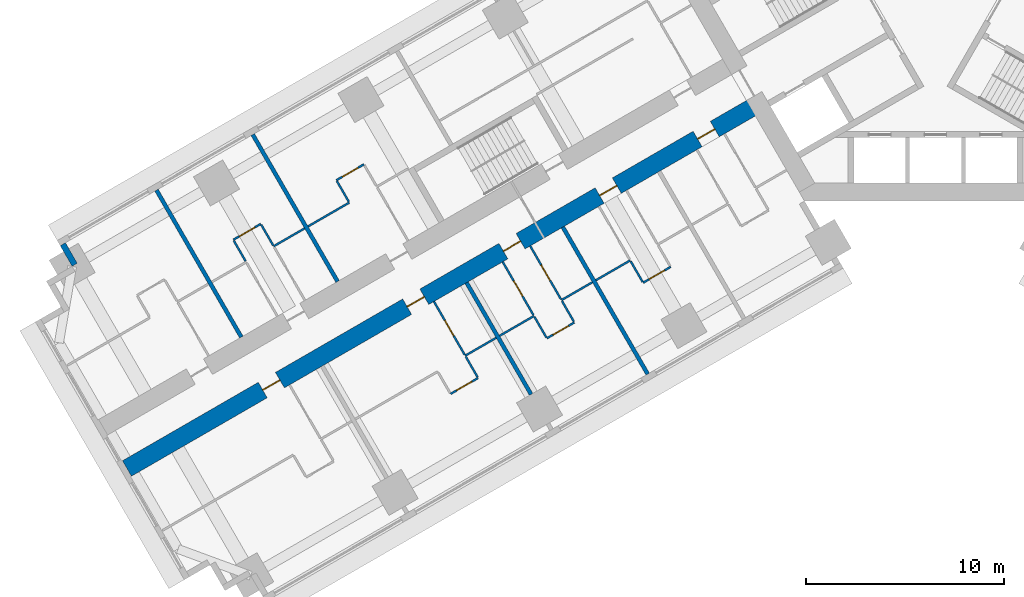
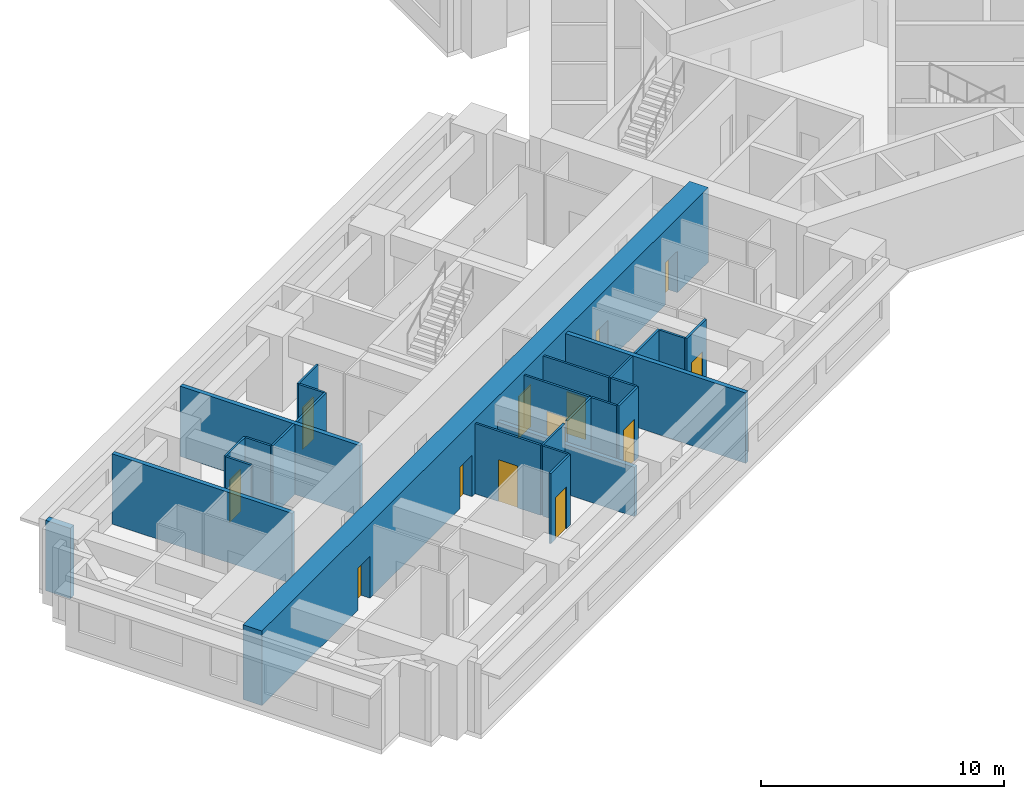
# One storey, part 4 of 17: 27 walls, 13 doors, 13 openings.
"""IFC4 building model written with IfcOpenShell, lengths in metres."""

from ifc_helpers import new_model, si_unit, direction, frame, frame_2d, origin, place, context, subcontext, project, spatial, rectangle, extrude, material, layer, layer_set, type_object, element, fill, save


model = new_model("IFC4")

# Units and contexts
model_context = context("Model", 3, precision=1e-05, world=origin(), true_north=direction((0.0, 1.0)))
body_context = subcontext(model_context, "Body", "Model", "MODEL_VIEW")
ifc_project = project(units=[si_unit("LENGTHUNIT", "METRE"), si_unit("AREAUNIT", "SQUARE_METRE"), si_unit("VOLUMEUNIT", "CUBIC_METRE"), si_unit("PLANEANGLEUNIT", "RADIAN"), si_unit("MASSUNIT", "GRAM", prefix="KILO")], contexts=[model_context])

# Site, building, storey
site_placement = place(None, origin())
site = spatial("IfcSite", under=ifc_project, at=site_placement, CompositionType="ELEMENT")
building_placement = place(site_placement, origin())
building = spatial("IfcBuilding", under=site, at=building_placement, Name="Impinga Residences", CompositionType="ELEMENT")
storey_placement = place(building_placement, frame((0.0, 0.0, 29.75)))
storey = spatial("IfcBuildingStorey", under=building, at=storey_placement, Name="L06", CompositionType="ELEMENT", Elevation=29.75)

# Wall, openings, doors
ifc_material_1 = material(Name="Concrete C70/85", Category="concrete")
ifc_layer_1 = layer(ifc_material_1, 0.89990234375)
ifc_layer_set_1 = layer_set([ifc_layer_1], Name="Concrete C70/85")
wall_type_1 = type_object("IfcWallType", Name="BW1 corridor buttress wall, L05 to L22 900", PredefinedType="SHEAR", material=ifc_layer_set_1)
wall_1_placement = place(storey_placement, frame((-8.910400390625, -6.530029296875, 0.0), z_axis=(0.0, 0.0, 1.0), x_axis=(-0.866025284237, -0.500000207062, 0.0)))
wall_1 = element("IfcWall", 1, at=wall_1_placement, inside=storey, type_object=wall_type_1, Name="Corridor wall BW1 WC L06", PredefinedType="SHEAR", context=body_context, shape_type="SweptSolid", body=[
    extrude(rectangle(XDim=36.75, YDim=0.89990234375, at=frame_2d((18.375, 0.0))), origin(), (0.0, 0.0, 1.0), 3.75),
])
opening_1_placement = place(wall_1_placement, frame((2.550048828125, 0.0, 0.0)))
opening_1 = element("IfcOpeningElement", 2, at=opening_1_placement, cuts=wall_1, Name="Opening D1", PredefinedType="OPENING", context=body_context, shape_type="SweptSolid", body=[
    extrude(rectangle(XDim=1.0, YDim=2.10009765625, at=frame_2d((0.5, 1.050048828125))), frame((0.0, 0.4599609375, 0.0), z_axis=(0.0, -1.0, 0.0), x_axis=(1.0, 0.0, 0.0)), (0.0, 0.0, 1.0), 0.919921875),
])
opening_2_placement = place(wall_1_placement, frame((8.25, 0.0, 0.0)))
opening_2 = element("IfcOpeningElement", 3, at=opening_2_placement, cuts=wall_1, Name="Opening D1", PredefinedType="OPENING", context=body_context, shape_type="SweptSolid", body=[
    extrude(rectangle(XDim=1.0, YDim=2.10009765625, at=frame_2d((0.5, 1.050048828125))), frame((0.0, 0.4599609375, 0.0), z_axis=(0.0, -1.0, 0.0), x_axis=(1.0, 0.0, 0.0)), (0.0, 0.0, 1.0), 0.919921875),
])
opening_3_placement = place(wall_1_placement, frame((13.85009765625, 0.0, 0.0)))
opening_3 = element("IfcOpeningElement", 4, at=opening_3_placement, cuts=wall_1, Name="Opening D1", PredefinedType="OPENING", context=body_context, shape_type="SweptSolid", body=[
    extrude(rectangle(XDim=1.0, YDim=2.10009765625, at=frame_2d((0.5, 1.050048828125))), frame((0.0, 0.4599609375, 0.0), z_axis=(0.0, -1.0, 0.0), x_axis=(1.0, 0.0, 0.0)), (0.0, 0.0, 1.0), 0.919921875),
])
opening_4_placement = place(wall_1_placement, frame((19.449951171875, 0.0, 0.0)))
opening_4 = element("IfcOpeningElement", 5, at=opening_4_placement, cuts=wall_1, Name="Opening D1", PredefinedType="OPENING", context=body_context, shape_type="SweptSolid", body=[
    extrude(rectangle(XDim=1.0, YDim=2.10009765625, at=frame_2d((0.5, 1.050048828125))), frame((0.0, 0.4599609375, 0.0), z_axis=(0.0, -1.0, 0.0), x_axis=(1.0, 0.0, 0.0)), (0.0, 0.0, 1.0), 0.919921875),
])
opening_5_placement = place(wall_1_placement, frame((27.85009765625, 0.0, 0.0)))
opening_5 = element("IfcOpeningElement", 6, at=opening_5_placement, cuts=wall_1, Name="Opening D1", PredefinedType="OPENING", context=body_context, shape_type="SweptSolid", body=[
    extrude(rectangle(XDim=1.0, YDim=2.10009765625, at=frame_2d((0.5, 1.050048828125))), frame((0.0, 0.4599609375, 0.0), z_axis=(0.0, -1.0, 0.0), x_axis=(1.0, 0.0, 0.0)), (0.0, 0.0, 1.0), 0.919921875),
])
ifc_material_2 = material(Name="Timber door set", Category="wood")
door_type_1 = type_object("IfcDoorType", Name="D1 apartment entrance door 1000x2100", OperationType="SINGLE_SWING_LEFT", PredefinedType="DOOR", material=ifc_material_2)
door_1_placement = place(opening_1_placement, origin())
door_1 = element("IfcDoor", 7, at=door_1_placement, inside=storey, type_object=door_type_1, Name="Apartment L06-WA1 entrance", OperationType="SINGLE_SWING_LEFT", OverallHeight=2.10009765625, OverallWidth=1.0, PredefinedType="DOOR", context=body_context, shape_type="SweptSolid", body=[
    extrude(rectangle(XDim=1.0, YDim=2.10009765625, at=frame_2d((0.5, 1.050048828125))), frame((0.0, 0.02490234375, 0.0), z_axis=(0.0, -1.0, 0.0), x_axis=(1.0, 0.0, 0.0)), (0.0, 0.0, 1.0), 0.050048828125),
])
fill(opening_1, door_1)
door_2_placement = place(opening_2_placement, origin())
door_2 = element("IfcDoor", 8, at=door_2_placement, inside=storey, type_object=door_type_1, Name="Apartment L06-WA2 entrance", OperationType="SINGLE_SWING_LEFT", OverallHeight=2.10009765625, OverallWidth=1.0, PredefinedType="DOOR", context=body_context, shape_type="SweptSolid", body=[
    extrude(rectangle(XDim=1.0, YDim=2.10009765625, at=frame_2d((0.5, 1.050048828125))), frame((0.0, 0.02490234375, 0.0), z_axis=(0.0, -1.0, 0.0), x_axis=(1.0, 0.0, 0.0)), (0.0, 0.0, 1.0), 0.050048828125),
])
fill(opening_2, door_2)
door_3_placement = place(opening_3_placement, origin())
door_3 = element("IfcDoor", 9, at=door_3_placement, inside=storey, type_object=door_type_1, Name="Apartment L06-WA3 entrance", OperationType="SINGLE_SWING_LEFT", OverallHeight=2.10009765625, OverallWidth=1.0, PredefinedType="DOOR", context=body_context, shape_type="SweptSolid", body=[
    extrude(rectangle(XDim=1.0, YDim=2.10009765625, at=frame_2d((0.5, 1.050048828125))), frame((0.0, 0.02490234375, 0.0), z_axis=(0.0, -1.0, 0.0), x_axis=(1.0, 0.0, 0.0)), (0.0, 0.0, 1.0), 0.050048828125),
])
fill(opening_3, door_3)
door_4_placement = place(opening_4_placement, origin())
door_4 = element("IfcDoor", 10, at=door_4_placement, inside=storey, type_object=door_type_1, Name="Apartment L06-WA4 entrance", OperationType="SINGLE_SWING_RIGHT", OverallHeight=2.10009765625, OverallWidth=1.0, PredefinedType="DOOR", context=body_context, shape_type="SweptSolid", body=[
    extrude(rectangle(XDim=1.0, YDim=2.10009765625, at=frame_2d((0.5, 1.050048828125))), frame((0.0, 0.02490234375, 0.0), z_axis=(0.0, -1.0, 0.0), x_axis=(1.0, 0.0, 0.0)), (0.0, 0.0, 1.0), 0.050048828125),
])
fill(opening_4, door_4)
door_5_placement = place(opening_5_placement, origin())
door_5 = element("IfcDoor", 11, at=door_5_placement, inside=storey, type_object=door_type_1, Name="Apartment L06-WA5 entrance", OperationType="SINGLE_SWING_RIGHT", OverallHeight=2.10009765625, OverallWidth=1.0, PredefinedType="DOOR", context=body_context, shape_type="SweptSolid", body=[
    extrude(rectangle(XDim=1.0, YDim=2.10009765625, at=frame_2d((0.5, 1.050048828125))), frame((0.0, 0.02490234375, 0.0), z_axis=(0.0, -1.0, 0.0), x_axis=(1.0, 0.0, 0.0)), (0.0, 0.0, 1.0), 0.050048828125),
])
fill(opening_5, door_5)

# Walls
ifc_material_3 = material(Name="Terracotta rainscreen on blockwork", Category="masonry")
ifc_layer_2 = layer(ifc_material_3, 0.300048828125)
ifc_layer_set_2 = layer_set([ifc_layer_2], Name="EW1 external wall, terracotta rainscreen on blockwork 300")
wall_type_2 = type_object("IfcWallType", Name="EW1 external wall, terracotta rainscreen on blockwork 300", PredefinedType="SOLIDWALL", material=ifc_layer_set_2)
wall_2_placement = place(storey_placement, frame((-43.37109375, -14.64208984375, 0.0), z_axis=(0.0, 0.0, 1.0), x_axis=(-0.500029051137, 0.866008630453, 0.0)))
element("IfcWall", 12, at=wall_2_placement, inside=storey, type_object=wall_type_2, Name="External wall EW1 L06", PredefinedType="SOLIDWALL", context=body_context, shape_type="SweptSolid", body=[
    extrude(rectangle(XDim=1.19482421875, YDim=0.300048828125, at=frame_2d((0.597412109375, 0.0))), origin(), (0.0, 0.0, 1.0), 3.530029296875),
])
ifc_material_4 = material(Name="Gypsum board on steel studs", Category="steel")
ifc_layer_3 = layer(ifc_material_4, 0.10009765625)
ifc_layer_set_3 = layer_set([ifc_layer_3], Name="Gypsum board on steel studs")
wall_type_3 = type_object("IfcWallType", Name="IP1 partition 100", PredefinedType="PARTITIONING", material=ifc_layer_set_3)
wall_3_placement = place(storey_placement, frame((-15.380859375, -14.422607421875, 0.0), z_axis=(0.0, 0.0, 1.0), x_axis=(-0.866010750942, -0.50002537861, 0.0)))
element("IfcWall", 13, at=wall_3_placement, inside=storey, type_object=wall_type_3, Name="Partition L06-WA2:DIV1", PredefinedType="PARTITIONING", context=body_context, shape_type="SweptSolid", body=[
    extrude(rectangle(XDim=2.0, YDim=0.10009765625, at=frame_2d((1.0, 0.0))), origin(), (0.0, 0.0, 1.0), 3.530029296875),
])

# Wall, opening, door
wall_4_placement = place(storey_placement, frame((-13.34521484375, -14.74853515625, 0.0), z_axis=(0.0, 0.0, 1.0), x_axis=(-0.865989903783, -0.500061482766, 0.0)))
wall_4 = element("IfcWall", 14, at=wall_4_placement, inside=storey, type_object=wall_type_3, Name="Partition L06-WA2:STRIP", PredefinedType="PARTITIONING", context=body_context, shape_type="SweptSolid", body=[
    extrude(rectangle(XDim=1.599853515625, YDim=0.10009765625, at=frame_2d((0.7998046875, 0.0))), origin(), (0.0, 0.0, 1.0), 3.530029296875),
])
opening_6_placement = place(wall_4_placement, frame((0.35009765625, 0.0, 0.0)))
opening_6 = element("IfcOpeningElement", 15, at=opening_6_placement, cuts=wall_4, Name="Opening D2", PredefinedType="OPENING", context=body_context, shape_type="SweptSolid", body=[
    extrude(rectangle(XDim=0.89990234375, YDim=2.10009765625, at=frame_2d((0.449951171875, 1.050048828125))), frame((0.0, 0.06005859375, 0.0), z_axis=(0.0, -1.0, 0.0), x_axis=(1.0, 0.0, 0.0)), (0.0, 0.0, 1.0), 0.1201171875),
])
door_type_2 = type_object("IfcDoorType", Name="D2 internal door 900x2100", OperationType="SINGLE_SWING_LEFT", PredefinedType="DOOR", material=ifc_material_2)
door_6_placement = place(opening_6_placement, origin())
door_6 = element("IfcDoor", 16, at=door_6_placement, inside=storey, type_object=door_type_2, Name="Apartment L06-WA2 room door", OperationType="SINGLE_SWING_LEFT", OverallHeight=2.10009765625, OverallWidth=0.89990234375, PredefinedType="DOOR", context=body_context, shape_type="SweptSolid", body=[
    extrude(rectangle(XDim=0.89990234375, YDim=2.10009765625, at=frame_2d((0.449951171875, 1.050048828125))), frame((0.0, 0.02490234375, 0.0), z_axis=(0.0, -1.0, 0.0), x_axis=(1.0, 0.0, 0.0)), (0.0, 0.0, 1.0), 0.050048828125),
])
fill(opening_6, door_6)

# Walls
wall_5_placement = place(storey_placement, frame((-15.355712890625, -14.466064453125, 0.0), z_axis=(0.0, 0.0, 1.0), x_axis=(0.499969057507, -0.866043267704, 0.0)))
element("IfcWall", 17, at=wall_5_placement, inside=storey, type_object=wall_type_3, Name="Partition L06-WA2:SE1", PredefinedType="PARTITIONING", context=body_context, shape_type="SweptSolid", body=[
    extrude(rectangle(XDim=1.19970703125, YDim=0.10009765625, at=frame_2d((0.599853515625, 0.0))), origin(), (0.0, 0.0, 1.0), 3.530029296875),
])
wall_6_placement = place(storey_placement, frame((-17.2861328125, -15.522705078125, 0.0), z_axis=(0.0, 0.0, 1.0), x_axis=(-0.866047807691, -0.499961193289, 0.0)))
element("IfcWall", 18, at=wall_6_placement, inside=storey, type_object=wall_type_3, Name="Partition L06-WA3:DIV0", PredefinedType="PARTITIONING", context=body_context, shape_type="SweptSolid", body=[
    extrude(rectangle(XDim=1.800048828125, YDim=0.10009765625, at=frame_2d((0.89990234375, 0.0))), origin(), (0.0, 0.0, 1.0), 3.530029296875),
])
wall_7_placement = place(storey_placement, frame((-20.23046875, -17.22265625, 0.0), z_axis=(0.0, 0.0, 1.0), x_axis=(-0.866041268327, -0.499972520799, 0.0)))
element("IfcWall", 19, at=wall_7_placement, inside=storey, type_object=wall_type_3, Name="Partition L06-WA3:DIV1", PredefinedType="PARTITIONING", context=body_context, shape_type="SweptSolid", body=[
    extrude(rectangle(XDim=2.0, YDim=0.10009765625, at=frame_2d((1.0, 0.0))), origin(), (0.0, 0.0, 1.0), 3.530029296875),
])

# Wall, opening, door
wall_8_placement = place(storey_placement, frame((-18.19482421875, -17.548583984375, 0.0), z_axis=(0.0, 0.0, 1.0), x_axis=(-0.866028054938, -0.499995408039, 0.0)))
wall_8 = element("IfcWall", 20, at=wall_8_placement, inside=storey, type_object=wall_type_3, Name="Partition L06-WA3:STRIP", PredefinedType="PARTITIONING", context=body_context, shape_type="SweptSolid", body=[
    extrude(rectangle(XDim=1.60009765625, YDim=0.10009765625, at=frame_2d((0.800048828125, 0.0))), origin(), (0.0, 0.0, 1.0), 3.530029296875),
])
opening_7_placement = place(wall_8_placement, frame((0.35009765625, 0.0, 0.0)))
opening_7 = element("IfcOpeningElement", 21, at=opening_7_placement, cuts=wall_8, Name="Opening D2", PredefinedType="OPENING", context=body_context, shape_type="SweptSolid", body=[
    extrude(rectangle(XDim=0.89990234375, YDim=2.10009765625, at=frame_2d((0.449951171875, 1.050048828125))), frame((0.0, 0.06005859375, 0.0), z_axis=(0.0, -1.0, 0.0), x_axis=(1.0, 0.0, 0.0)), (0.0, 0.0, 1.0), 0.1201171875),
])
door_7_placement = place(opening_7_placement, origin())
door_7 = element("IfcDoor", 22, at=door_7_placement, inside=storey, type_object=door_type_2, Name="Apartment L06-WA3 room door", OperationType="SINGLE_SWING_LEFT", OverallHeight=2.10009765625, OverallWidth=0.89990234375, PredefinedType="DOOR", context=body_context, shape_type="SweptSolid", body=[
    extrude(rectangle(XDim=0.89990234375, YDim=2.10009765625, at=frame_2d((0.449951171875, 1.050048828125))), frame((0.0, 0.02490234375, 0.0), z_axis=(0.0, -1.0, 0.0), x_axis=(1.0, 0.0, 0.0)), (0.0, 0.0, 1.0), 0.050048828125),
])
fill(opening_7, door_7)

# Walls
wall_9_placement = place(storey_placement, frame((-18.81982421875, -16.466064453125, 0.0), z_axis=(0.0, 0.0, 1.0), x_axis=(0.499969057507, -0.866043267704, 0.0)))
element("IfcWall", 23, at=wall_9_placement, inside=storey, type_object=wall_type_3, Name="Partition L06-WA3:SE0", PredefinedType="PARTITIONING", context=body_context, shape_type="SweptSolid", body=[
    extrude(rectangle(XDim=1.19970703125, YDim=0.10009765625, at=frame_2d((0.599853515625, 0.0))), origin(), (0.0, 0.0, 1.0), 3.530029296875),
])
wall_10_placement = place(storey_placement, frame((-20.20556640625, -17.265869140625, 0.0), z_axis=(0.0, 0.0, 1.0), x_axis=(0.500033551112, -0.866006032174, 0.0)))
element("IfcWall", 24, at=wall_10_placement, inside=storey, type_object=wall_type_3, Name="Partition L06-WA3:SE1", PredefinedType="PARTITIONING", context=body_context, shape_type="SweptSolid", body=[
    extrude(rectangle(XDim=1.2001953125, YDim=0.10009765625, at=frame_2d((0.60009765625, 0.0))), origin(), (0.0, 0.0, 1.0), 3.530029296875),
])

# Wall, opening, door
wall_11_placement = place(storey_placement, frame((-20.419921875, -13.69482421875, 0.0), z_axis=(0.0, 0.0, 1.0), x_axis=(0.500026960575, -0.86600983753, 0.0)))
wall_11 = element("IfcWall", 25, at=wall_11_placement, inside=storey, type_object=wall_type_3, Name="Partition L06-WA3:IB1", PredefinedType="PARTITIONING", context=body_context, shape_type="SweptSolid", body=[
    extrude(rectangle(XDim=3.099853515625, YDim=0.10009765625, at=frame_2d((1.5498046875, 0.0))), origin(), (0.0, 0.0, 1.0), 3.530029296875),
])
opening_8_placement = place(wall_11_placement, frame((1.10009765625, 0.0, 0.0)))
opening_8 = element("IfcOpeningElement", 26, at=opening_8_placement, cuts=wall_11, Name="Opening D2", PredefinedType="OPENING", context=body_context, shape_type="SweptSolid", body=[
    extrude(rectangle(XDim=0.89990234375, YDim=2.10009765625, at=frame_2d((0.449951171875, 1.050048828125))), frame((0.0, 0.06005859375, 0.0), z_axis=(0.0, -1.0, 0.0), x_axis=(1.0, 0.0, 0.0)), (0.0, 0.0, 1.0), 0.1201171875),
])
door_8_placement = place(opening_8_placement, origin())
door_8 = element("IfcDoor", 27, at=door_8_placement, inside=storey, type_object=door_type_2, Name="Apartment L06-WA3 bathroom door", OperationType="SINGLE_SWING_LEFT", OverallHeight=2.10009765625, OverallWidth=0.89990234375, PredefinedType="DOOR", context=body_context, shape_type="SweptSolid", body=[
    extrude(rectangle(XDim=0.89990234375, YDim=2.10009765625, at=frame_2d((0.449951171875, 1.050048828125))), frame((0.0, 0.02490234375, 0.0), z_axis=(0.0, -1.0, 0.0), x_axis=(1.0, 0.0, 0.0)), (0.0, 0.0, 1.0), 0.050048828125),
])
fill(opening_8, door_8)

wall_12_placement = place(storey_placement, frame((-21.8056640625, -14.49462890625, 0.0), z_axis=(0.0, 0.0, 1.0), x_axis=(0.49999285859, -0.86602952684, 0.0)))
wall_12 = element("IfcWall", 28, at=wall_12_placement, inside=storey, type_object=wall_type_3, Name="Partition L06-WA3:IB2", PredefinedType="PARTITIONING", context=body_context, shape_type="SweptSolid", body=[
    extrude(rectangle(XDim=3.10009765625, YDim=0.10009765625, at=frame_2d((1.550048828125, 0.0))), origin(), (0.0, 0.0, 1.0), 3.530029296875),
])
opening_9_placement = place(wall_12_placement, frame((1.10009765625, 0.0, 0.0)))
opening_9 = element("IfcOpeningElement", 29, at=opening_9_placement, cuts=wall_12, Name="Opening D2", PredefinedType="OPENING", context=body_context, shape_type="SweptSolid", body=[
    extrude(rectangle(XDim=0.89990234375, YDim=2.10009765625, at=frame_2d((0.449951171875, 1.050048828125))), frame((0.0, 0.06005859375, 0.0), z_axis=(0.0, -1.0, 0.0), x_axis=(1.0, 0.0, 0.0)), (0.0, 0.0, 1.0), 0.1201171875),
])
door_9_placement = place(opening_9_placement, origin())
door_9 = element("IfcDoor", 30, at=door_9_placement, inside=storey, type_object=door_type_2, Name="Apartment L06-WA3 WC door", OperationType="SINGLE_SWING_LEFT", OverallHeight=2.10009765625, OverallWidth=0.89990234375, PredefinedType="DOOR", context=body_context, shape_type="SweptSolid", body=[
    extrude(rectangle(XDim=0.89990234375, YDim=2.10009765625, at=frame_2d((0.449951171875, 1.050048828125))), frame((0.0, 0.02490234375, 0.0), z_axis=(0.0, -1.0, 0.0), x_axis=(1.0, 0.0, 0.0)), (0.0, 0.0, 1.0), 0.050048828125),
])
fill(opening_9, door_9)

# Wall
wall_13_placement = place(storey_placement, frame((-22.1357421875, -18.32275390625, 0.0), z_axis=(0.0, 0.0, 1.0), x_axis=(-0.866047807691, -0.499961193289, 0.0)))
element("IfcWall", 31, at=wall_13_placement, inside=storey, type_object=wall_type_3, Name="Partition L06-WA4:DIV0", PredefinedType="PARTITIONING", context=body_context, shape_type="SweptSolid", body=[
    extrude(rectangle(XDim=1.800048828125, YDim=0.10009765625, at=frame_2d((0.89990234375, 0.0))), origin(), (0.0, 0.0, 1.0), 3.530029296875),
])

# Wall, opening, door
wall_14_placement = place(storey_placement, frame((-23.044677734375, -20.3486328125, 0.0), z_axis=(0.0, 0.0, 1.0), x_axis=(-0.866094119867, -0.499880961361, 0.0)))
wall_14 = element("IfcWall", 32, at=wall_14_placement, inside=storey, type_object=wall_type_3, Name="Partition L06-WA4:STRIP", PredefinedType="PARTITIONING", context=body_context, shape_type="SweptSolid", body=[
    extrude(rectangle(XDim=1.60009765625, YDim=0.10009765625, at=frame_2d((0.800048828125, 0.0))), origin(), (0.0, 0.0, 1.0), 3.530029296875),
])
opening_10_placement = place(wall_14_placement, frame((0.35009765625, 0.0, 0.0)))
opening_10 = element("IfcOpeningElement", 33, at=opening_10_placement, cuts=wall_14, Name="Opening D2", PredefinedType="OPENING", context=body_context, shape_type="SweptSolid", body=[
    extrude(rectangle(XDim=0.89990234375, YDim=2.10009765625, at=frame_2d((0.449951171875, 1.050048828125))), frame((0.0, 0.06005859375, 0.0), z_axis=(0.0, -1.0, 0.0), x_axis=(1.0, 0.0, 0.0)), (0.0, 0.0, 1.0), 0.1201171875),
])
door_10_placement = place(opening_10_placement, origin())
door_10 = element("IfcDoor", 34, at=door_10_placement, inside=storey, type_object=door_type_2, Name="Apartment L06-WA4 room door", OperationType="SINGLE_SWING_LEFT", OverallHeight=2.10009765625, OverallWidth=0.89990234375, PredefinedType="DOOR", context=body_context, shape_type="SweptSolid", body=[
    extrude(rectangle(XDim=0.89990234375, YDim=2.10009765625, at=frame_2d((0.449951171875, 1.050048828125))), frame((0.0, 0.02490234375, 0.0), z_axis=(0.0, -1.0, 0.0), x_axis=(1.0, 0.0, 0.0)), (0.0, 0.0, 1.0), 0.050048828125),
])
fill(opening_10, door_10)

# Wall
wall_15_placement = place(storey_placement, frame((-23.669677734375, -19.265869140625, 0.0), z_axis=(0.0, 0.0, 1.0), x_axis=(0.500033551112, -0.866006032174, 0.0)))
element("IfcWall", 35, at=wall_15_placement, inside=storey, type_object=wall_type_3, Name="Partition L06-WA4:SE0", PredefinedType="PARTITIONING", context=body_context, shape_type="SweptSolid", body=[
    extrude(rectangle(XDim=1.2001953125, YDim=0.10009765625, at=frame_2d((0.60009765625, 0.0))), origin(), (0.0, 0.0, 1.0), 3.530029296875),
])

# Wall, opening, door
wall_16_placement = place(storey_placement, frame((-25.269775390625, -16.49462890625, 0.0), z_axis=(0.0, 0.0, 1.0), x_axis=(0.49999285859, -0.86602952684, 0.0)))
wall_16 = element("IfcWall", 36, at=wall_16_placement, inside=storey, type_object=wall_type_3, Name="Partition L06-WA4:IB1", PredefinedType="PARTITIONING", context=body_context, shape_type="SweptSolid", body=[
    extrude(rectangle(XDim=3.10009765625, YDim=0.10009765625, at=frame_2d((1.550048828125, 0.0))), origin(), (0.0, 0.0, 1.0), 3.530029296875),
])
opening_11_placement = place(wall_16_placement, frame((1.10009765625, 0.0, 0.0)))
opening_11 = element("IfcOpeningElement", 37, at=opening_11_placement, cuts=wall_16, Name="Opening D2", PredefinedType="OPENING", context=body_context, shape_type="SweptSolid", body=[
    extrude(rectangle(XDim=0.89990234375, YDim=2.10009765625, at=frame_2d((0.449951171875, 1.050048828125))), frame((0.0, 0.06005859375, 0.0), z_axis=(0.0, -1.0, 0.0), x_axis=(1.0, 0.0, 0.0)), (0.0, 0.0, 1.0), 0.1201171875),
])
door_11_placement = place(opening_11_placement, origin())
door_11 = element("IfcDoor", 38, at=door_11_placement, inside=storey, type_object=door_type_2, Name="Apartment L06-WA4 bathroom door", OperationType="SINGLE_SWING_LEFT", OverallHeight=2.10009765625, OverallWidth=0.89990234375, PredefinedType="DOOR", context=body_context, shape_type="SweptSolid", body=[
    extrude(rectangle(XDim=0.89990234375, YDim=2.10009765625, at=frame_2d((0.449951171875, 1.050048828125))), frame((0.0, 0.02490234375, 0.0), z_axis=(0.0, -1.0, 0.0), x_axis=(1.0, 0.0, 0.0)), (0.0, 0.0, 1.0), 0.050048828125),
])
fill(opening_11, door_11)

# Wall
wall_17_placement = place(storey_placement, frame((-29.533935546875, -11.5087890625, 0.0), z_axis=(0.0, 0.0, 1.0), x_axis=(-0.866024647952, -0.500001309137, 0.0)))
element("IfcWall", 39, at=wall_17_placement, inside=storey, type_object=wall_type_3, Name="Partition L06-WF2:DIV1", PredefinedType="PARTITIONING", context=body_context, shape_type="SweptSolid", body=[
    extrude(rectangle(XDim=2.39990234375, YDim=0.10009765625, at=frame_2d((1.199951171875, 0.0))), origin(), (0.0, 0.0, 1.0), 3.530029296875),
])

# Wall, opening, door
wall_18_placement = place(storey_placement, frame((-28.79833984375, -9.5830078125, 0.0), z_axis=(0.0, 0.0, 1.0), x_axis=(-0.865989903783, -0.500061482766, 0.0)))
wall_18 = element("IfcWall", 40, at=wall_18_placement, inside=storey, type_object=wall_type_3, Name="Partition L06-WF2:STRIP", PredefinedType="PARTITIONING", context=body_context, shape_type="SweptSolid", body=[
    extrude(rectangle(XDim=1.599853515625, YDim=0.10009765625, at=frame_2d((0.7998046875, 0.0))), origin(), (0.0, 0.0, 1.0), 3.530029296875),
])
opening_12_placement = place(wall_18_placement, frame((0.35009765625, 0.0, 0.0)))
opening_12 = element("IfcOpeningElement", 41, at=opening_12_placement, cuts=wall_18, Name="Opening D2", PredefinedType="OPENING", context=body_context, shape_type="SweptSolid", body=[
    extrude(rectangle(XDim=0.89990234375, YDim=2.10009765625, at=frame_2d((0.449951171875, 1.050048828125))), frame((0.0, 0.06005859375, 0.0), z_axis=(0.0, -1.0, 0.0), x_axis=(1.0, 0.0, 0.0)), (0.0, 0.0, 1.0), 0.1201171875),
])
door_12_placement = place(opening_12_placement, origin())
door_12 = element("IfcDoor", 42, at=door_12_placement, inside=storey, type_object=door_type_2, Name="Apartment L06-WF2 room door", OperationType="SINGLE_SWING_LEFT", OverallHeight=2.10009765625, OverallWidth=0.89990234375, PredefinedType="DOOR", context=body_context, shape_type="SweptSolid", body=[
    extrude(rectangle(XDim=0.89990234375, YDim=2.10009765625, at=frame_2d((0.449951171875, 1.050048828125))), frame((0.0, 0.02490234375, 0.0), z_axis=(0.0, -1.0, 0.0), x_axis=(1.0, 0.0, 0.0)), (0.0, 0.0, 1.0), 0.050048828125),
])
fill(opening_12, door_12)

# Walls
wall_19_placement = place(storey_placement, frame((-29.558837890625, -11.465576171875, 0.0), z_axis=(0.0, 0.0, 1.0), x_axis=(-0.500033551112, 0.866006032174, 0.0)))
element("IfcWall", 43, at=wall_19_placement, inside=storey, type_object=wall_type_3, Name="Partition L06-WF2:SE1", PredefinedType="PARTITIONING", context=body_context, shape_type="SweptSolid", body=[
    extrude(rectangle(XDim=1.2001953125, YDim=0.10009765625, at=frame_2d((0.60009765625, 0.0))), origin(), (0.0, 0.0, 1.0), 3.530029296875),
])
wall_20_placement = place(storey_placement, frame((-31.78564453125, -12.808837890625, 0.0), z_axis=(0.0, 0.0, 1.0), x_axis=(-0.866047807691, -0.499961193289, 0.0)))
element("IfcWall", 44, at=wall_20_placement, inside=storey, type_object=wall_type_3, Name="Partition L06-WF3:DIV0", PredefinedType="PARTITIONING", context=body_context, shape_type="SweptSolid", body=[
    extrude(rectangle(XDim=1.800048828125, YDim=0.10009765625, at=frame_2d((0.89990234375, 0.0))), origin(), (0.0, 0.0, 1.0), 3.530029296875),
])

# Wall, opening, door
wall_21_placement = place(storey_placement, frame((-33.994384765625, -12.5830078125, 0.0), z_axis=(0.0, 0.0, 1.0), x_axis=(-0.866028054938, -0.499995408039, 0.0)))
wall_21 = element("IfcWall", 45, at=wall_21_placement, inside=storey, type_object=wall_type_3, Name="Partition L06-WF3:STRIP", PredefinedType="PARTITIONING", context=body_context, shape_type="SweptSolid", body=[
    extrude(rectangle(XDim=1.60009765625, YDim=0.10009765625, at=frame_2d((0.800048828125, 0.0))), origin(), (0.0, 0.0, 1.0), 3.530029296875),
])
opening_13_placement = place(wall_21_placement, frame((0.35009765625, 0.0, 0.0)))
opening_13 = element("IfcOpeningElement", 46, at=opening_13_placement, cuts=wall_21, Name="Opening D2", PredefinedType="OPENING", context=body_context, shape_type="SweptSolid", body=[
    extrude(rectangle(XDim=0.89990234375, YDim=2.10009765625, at=frame_2d((0.449951171875, 1.050048828125))), frame((0.0, 0.06005859375, 0.0), z_axis=(0.0, -1.0, 0.0), x_axis=(1.0, 0.0, 0.0)), (0.0, 0.0, 1.0), 0.1201171875),
])
door_13_placement = place(opening_13_placement, origin())
door_13 = element("IfcDoor", 47, at=door_13_placement, inside=storey, type_object=door_type_2, Name="Apartment L06-WF3 room door", OperationType="SINGLE_SWING_LEFT", OverallHeight=2.10009765625, OverallWidth=0.89990234375, PredefinedType="DOOR", context=body_context, shape_type="SweptSolid", body=[
    extrude(rectangle(XDim=0.89990234375, YDim=2.10009765625, at=frame_2d((0.449951171875, 1.050048828125))), frame((0.0, 0.02490234375, 0.0), z_axis=(0.0, -1.0, 0.0), x_axis=(1.0, 0.0, 0.0)), (0.0, 0.0, 1.0), 0.050048828125),
])
fill(opening_13, door_13)

# Walls
wall_22_placement = place(storey_placement, frame((-33.369384765625, -13.66552734375, 0.0), z_axis=(0.0, 0.0, 1.0), x_axis=(-0.500033551112, 0.866006032174, 0.0)))
element("IfcWall", 48, at=wall_22_placement, inside=storey, type_object=wall_type_3, Name="Partition L06-WF3:SE0", PredefinedType="PARTITIONING", context=body_context, shape_type="SweptSolid", body=[
    extrude(rectangle(XDim=1.2001953125, YDim=0.10009765625, at=frame_2d((0.60009765625, 0.0))), origin(), (0.0, 0.0, 1.0), 3.530029296875),
])
wall_23_placement = place(storey_placement, frame((-34.755126953125, -14.465576171875, 0.0), z_axis=(0.0, 0.0, 1.0), x_axis=(-0.499880961361, 0.866094119867, 0.0)))
element("IfcWall", 49, at=wall_23_placement, inside=storey, type_object=wall_type_3, Name="Partition L06-WF3:SE1", PredefinedType="PARTITIONING", context=body_context, shape_type="SweptSolid", body=[
    extrude(rectangle(XDim=1.199951171875, YDim=0.10009765625, at=frame_2d((0.60009765625, 0.0))), origin(), (0.0, 0.0, 1.0), 3.530029296875),
])
ifc_material_5 = material(Name="Concrete blockwork", Category="masonry")
ifc_layer_4 = layer(ifc_material_5, 0.199951171875)
ifc_layer_set_4 = layer_set([ifc_layer_4], Name="PW1 party wall between apartments 200")
wall_type_4 = type_object("IfcWallType", Name="PW1 party wall between apartments 200", PredefinedType="SOLIDWALL", material=ifc_layer_set_4)
wall_24_placement = place(storey_placement, frame((-18.7744140625, -12.74462890625, 0.0), z_axis=(0.0, 0.0, 1.0), x_axis=(0.499990227581, -0.86603104582, 0.0)))
element("IfcWall", 50, at=wall_24_placement, inside=storey, type_object=wall_type_4, Name="Party wall between apartments L06-WA2:PARTY", PredefinedType="SOLIDWALL", context=body_context, shape_type="SweptSolid", body=[
    extrude(rectangle(XDim=8.550048828125, YDim=0.199951171875, at=frame_2d((4.27490234375, 0.0))), origin(), (0.0, 0.0, 1.0), 3.530029296875),
])
wall_25_placement = place(storey_placement, frame((-23.624267578125, -15.544677734375, 0.0), z_axis=(0.0, 0.0, 1.0), x_axis=(0.50000098154, -0.866024837091, 0.0)))
element("IfcWall", 51, at=wall_25_placement, inside=storey, type_object=wall_type_4, Name="Party wall between apartments L06-WA3:PARTY", PredefinedType="SOLIDWALL", context=body_context, shape_type="SweptSolid", body=[
    extrude(rectangle(XDim=6.5, YDim=0.199951171875, at=frame_2d((3.25, 0.0))), origin(), (0.0, 0.0, 1.0), 2.47998046875),
])
for number, where, z_axis, x_axis, name in (
    (52, (-30.1240234375, -15.48681640625, 0.0), (0.0, 0.0, 1.0), (-0.499990227581, 0.86603104582, 0.0), "Party wall between apartments L06-WF2:PARTY"),
    (53, (-34.9736328125, -18.286865234375, 0.0), (0.0, 0.0, 1.0), (-0.500011643316, 0.866018681408, 0.0), "Party wall between apartments L06-WF3:PARTY"),
):
    element("IfcWall", number, at=place(storey_placement, frame(where, z_axis=z_axis, x_axis=x_axis)), inside=storey, type_object=wall_type_4, Name=name, PredefinedType="SOLIDWALL", context=body_context, shape_type="SweptSolid", body=[
        extrude(rectangle(XDim=8.550048828125, YDim=0.199951171875, at=frame_2d((4.27490234375, 0.0))), origin(), (0.0, 0.0, 1.0), 3.530029296875),
    ])

save(model, "model.ifc")
